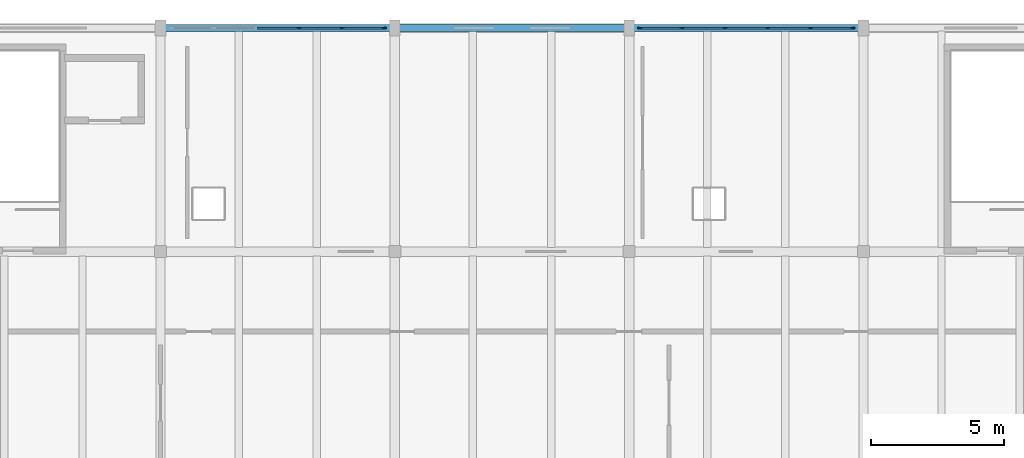
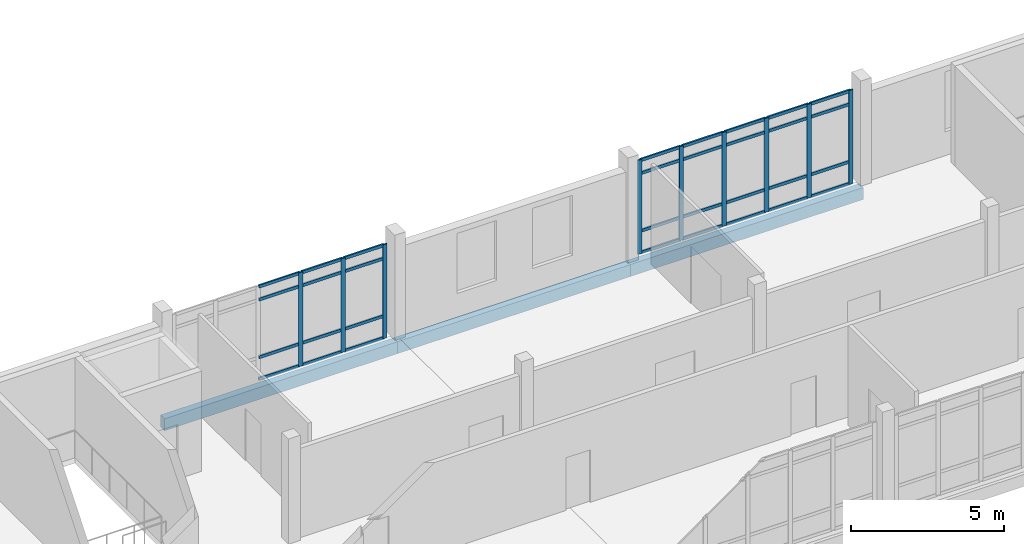
# One storey, part 7 of 13: 41 members, 3 beams, 2 elements without a shape of their own.
"""IFC4 building model written with IfcOpenShell, lengths in metres."""

from ifc_helpers import new_model, si_unit, direction, frame, origin, origin_2d, place, context, subcontext, project, spatial, rectangle, extrude, material, material_profile, profile_set, type_object, element, aggregate, save


model = new_model("IFC4")

# Units and contexts
model_context = context("Model", 3, precision=1e-05, world=origin(), true_north=direction((0.0, 1.0)))
body_context = subcontext(model_context, "Body", "Model", "MODEL_VIEW")
ifc_project = project(units=[si_unit("LENGTHUNIT", "METRE"), si_unit("AREAUNIT", "SQUARE_METRE"), si_unit("VOLUMEUNIT", "CUBIC_METRE"), si_unit("PLANEANGLEUNIT", "RADIAN"), si_unit("MASSUNIT", "GRAM", prefix="KILO")], contexts=[model_context])

# Site, building, storey
site_placement = place(None, origin())
site = spatial("IfcSite", under=ifc_project, at=site_placement, CompositionType="ELEMENT")
building_placement = place(site_placement, origin())
building = spatial("IfcBuilding", under=site, at=building_placement, Name="Cinderway Yard Community Centre", CompositionType="ELEMENT")
storey_placement = place(building_placement, frame((0.0, 0.0, 20.10009765625)))
storey = spatial("IfcBuildingStorey", under=building, at=storey_placement, Name="L05", CompositionType="ELEMENT", Elevation=20.10009765625)

# Curtain wall, members
ifc_material_1 = material(Name="Aluminium 6063-T6", Category="aluminium")
curtain_wall_type = type_object("IfcCurtainWallType", Name="ENV-CW-TYPE-27", PredefinedType="USERDEFINED", material=ifc_material_1)
curtain_wall_1_placement = place(storey_placement, origin())
curtain_wall_1 = element("IfcCurtainWall", 1, at=curtain_wall_1_placement, inside=storey, type_object=curtain_wall_type, Name="V4 Street Curtain Wall ENV-CW-L05-ST-0192", ObjectType="GLAZED CURTAIN WALL", PredefinedType="USERDEFINED")
ifc_material_profile_1 = material_profile(ifc_material_1, rectangle(XDim=0.06005859375, YDim=0.159912109375, at=origin_2d()), Name="Aluminium 6063-T6")
ifc_profile_set_1 = profile_set([ifc_material_profile_1], Name="Aluminium 6063-T6")
member_type_1 = type_object("IfcMemberType", Name="ENV-CW-MULL-150", PredefinedType="MULLION", material=ifc_profile_set_1)
member_1_placement = place(storey_placement, frame((89.2041015625, 115.199951171875, 0.0), z_axis=(0.0, 0.0, 1.0), x_axis=(0.0, 1.0, 0.0)))
member_1 = element("IfcMember", 2, at=member_1_placement, type_object=member_type_1, Name="CW-27 mullion 4", PredefinedType="MULLION", context=body_context, shape_type="SweptSolid", body=[
    extrude(rectangle(XDim=0.06005859375, YDim=0.159912109375, at=origin_2d()), origin(), (0.0, 0.0, 1.0), 3.75),
])
member_2_placement = place(storey_placement, frame((90.81201171875, 115.199951171875, 0.0), z_axis=(0.0, 0.0, 1.0), x_axis=(0.0, 1.0, 0.0)))
member_2 = element("IfcMember", 3, at=member_2_placement, type_object=member_type_1, Name="CW-27 mullion 5", PredefinedType="MULLION", context=body_context, shape_type="SweptSolid", body=[
    extrude(rectangle(XDim=0.06005859375, YDim=0.159912109375, at=origin_2d()), origin(), (0.0, 0.0, 1.0), 3.75),
])
member_3_placement = place(storey_placement, frame((92.389892578125, 115.199951171875, 0.0), z_axis=(0.0, 0.0, 1.0), x_axis=(0.0, 1.0, 0.0)))
member_3 = element("IfcMember", 4, at=member_3_placement, type_object=member_type_1, Name="CW-27 mullion 6", PredefinedType="MULLION", context=body_context, shape_type="SweptSolid", body=[
    extrude(rectangle(XDim=0.06005859375, YDim=0.159912109375, at=origin_2d()), origin(), (0.0, 0.0, 1.0), 3.75),
])

curtain_wall_2_placement = place(storey_placement, origin())
curtain_wall_2 = element("IfcCurtainWall", 5, at=curtain_wall_2_placement, inside=storey, type_object=curtain_wall_type, Name="V4 Street Curtain Wall ENV-CW-L05-ST-0194", ObjectType="GLAZED CURTAIN WALL", PredefinedType="USERDEFINED")
member_4_placement = place(storey_placement, frame((102.010009765625, 115.199951171875, 0.0), z_axis=(0.0, 0.0, 1.0), x_axis=(0.0, 1.0, 0.0)))
member_4 = element("IfcMember", 6, at=member_4_placement, type_object=member_type_1, Name="CW-27 mullion 1", PredefinedType="MULLION", context=body_context, shape_type="SweptSolid", body=[
    extrude(rectangle(XDim=0.06005859375, YDim=0.159912109375, at=origin_2d()), origin(), (0.0, 0.0, 1.0), 3.75),
])
member_5_placement = place(storey_placement, frame((103.587890625, 115.199951171875, 0.0), z_axis=(0.0, 0.0, 1.0), x_axis=(0.0, 1.0, 0.0)))
member_5 = element("IfcMember", 7, at=member_5_placement, type_object=member_type_1, Name="CW-27 mullion 2", PredefinedType="MULLION", context=body_context, shape_type="SweptSolid", body=[
    extrude(rectangle(XDim=0.06005859375, YDim=0.159912109375, at=origin_2d()), origin(), (0.0, 0.0, 1.0), 3.75),
])
member_6_placement = place(storey_placement, frame((105.196044921875, 115.199951171875, 0.0), z_axis=(0.0, 0.0, 1.0), x_axis=(0.0, 1.0, 0.0)))
member_6 = element("IfcMember", 8, at=member_6_placement, type_object=member_type_1, Name="CW-27 mullion 3", PredefinedType="MULLION", context=body_context, shape_type="SweptSolid", body=[
    extrude(rectangle(XDim=0.06005859375, YDim=0.159912109375, at=origin_2d()), origin(), (0.0, 0.0, 1.0), 3.75),
])
member_7_placement = place(storey_placement, frame((106.803955078125, 115.199951171875, 0.0), z_axis=(0.0, 0.0, 1.0), x_axis=(0.0, 1.0, 0.0)))
member_7 = element("IfcMember", 9, at=member_7_placement, type_object=member_type_1, Name="CW-27 mullion 4", PredefinedType="MULLION", context=body_context, shape_type="SweptSolid", body=[
    extrude(rectangle(XDim=0.06005859375, YDim=0.159912109375, at=origin_2d()), origin(), (0.0, 0.0, 1.0), 3.75),
])
member_8_placement = place(storey_placement, frame((108.412109375, 115.199951171875, 0.0), z_axis=(0.0, 0.0, 1.0), x_axis=(0.0, 1.0, 0.0)))
member_8 = element("IfcMember", 10, at=member_8_placement, type_object=member_type_1, Name="CW-27 mullion 5", PredefinedType="MULLION", context=body_context, shape_type="SweptSolid", body=[
    extrude(rectangle(XDim=0.06005859375, YDim=0.159912109375, at=origin_2d()), origin(), (0.0, 0.0, 1.0), 3.75),
])
member_9_placement = place(storey_placement, frame((109.989990234375, 115.199951171875, 0.0), z_axis=(0.0, 0.0, 1.0), x_axis=(0.0, 1.0, 0.0)))
member_9 = element("IfcMember", 11, at=member_9_placement, type_object=member_type_1, Name="CW-27 mullion 6", PredefinedType="MULLION", context=body_context, shape_type="SweptSolid", body=[
    extrude(rectangle(XDim=0.06005859375, YDim=0.159912109375, at=origin_2d()), origin(), (0.0, 0.0, 1.0), 3.75),
])

# Member
ifc_material_profile_2 = material_profile(ifc_material_1, rectangle(XDim=0.06005859375, YDim=0.1201171875, at=origin_2d()), Name="Aluminium 6063-T6")
ifc_profile_set_2 = profile_set([ifc_material_profile_2], Name="Aluminium 6063-T6")
member_type_2 = type_object("IfcMemberType", Name="ENV-CW-TRAN-110", PredefinedType="USERDEFINED", material=ifc_profile_set_2)
member_10_placement = place(storey_placement, frame((87.6259765625, 115.199951171875, 0.02978515625), z_axis=(1.0, 0.0, 0.0), x_axis=(0.0, 1.0, 0.0)))
member_10 = element("IfcMember", 12, at=member_10_placement, type_object=member_type_2, Name="CW-27 transom 3.1", ObjectType="TRANSOM", PredefinedType="USERDEFINED", context=body_context, shape_type="SweptSolid", body=[
    extrude(rectangle(XDim=0.06005859375, YDim=0.1201171875, at=origin_2d()), origin(), (0.0, 0.0, 1.0), 1.548095703125),
])

member_11_placement = place(storey_placement, frame((87.6259765625, 115.199951171875, 0.89990234375), z_axis=(1.0, 0.0, 0.0), x_axis=(0.0, 1.0, 0.0)))
member_11 = element("IfcMember", 13, at=member_11_placement, type_object=member_type_2, Name="CW-27 transom 3.2", ObjectType="TRANSOM", PredefinedType="USERDEFINED", context=body_context, shape_type="SweptSolid", body=[
    extrude(rectangle(XDim=0.06005859375, YDim=0.1201171875, at=origin_2d()), origin(), (0.0, 0.0, 1.0), 1.548095703125),
])

member_12_placement = place(storey_placement, frame((87.6259765625, 115.199951171875, 3.199951171875), z_axis=(1.0, 0.0, 0.0), x_axis=(0.0, 1.0, 0.0)))
member_12 = element("IfcMember", 14, at=member_12_placement, type_object=member_type_2, Name="CW-27 transom 3.3", ObjectType="TRANSOM", PredefinedType="USERDEFINED", context=body_context, shape_type="SweptSolid", body=[
    extrude(rectangle(XDim=0.06005859375, YDim=0.1201171875, at=origin_2d()), origin(), (0.0, 0.0, 1.0), 1.548095703125),
])

member_13_placement = place(storey_placement, frame((87.6259765625, 115.199951171875, 3.719970703125), z_axis=(1.0, 0.0, 0.0), x_axis=(0.0, 1.0, 0.0)))
member_13 = element("IfcMember", 15, at=member_13_placement, type_object=member_type_2, Name="CW-27 transom 3.4", ObjectType="TRANSOM", PredefinedType="USERDEFINED", context=body_context, shape_type="SweptSolid", body=[
    extrude(rectangle(XDim=0.06005859375, YDim=0.1201171875, at=origin_2d()), origin(), (0.0, 0.0, 1.0), 1.548095703125),
])

member_14_placement = place(storey_placement, frame((89.23388671875, 115.199951171875, 0.02978515625), z_axis=(1.0, 0.0, 0.0), x_axis=(0.0, 1.0, 0.0)))
member_14 = element("IfcMember", 16, at=member_14_placement, type_object=member_type_2, Name="CW-27 transom 4.1", ObjectType="TRANSOM", PredefinedType="USERDEFINED", context=body_context, shape_type="SweptSolid", body=[
    extrude(rectangle(XDim=0.06005859375, YDim=0.1201171875, at=origin_2d()), origin(), (0.0, 0.0, 1.0), 1.548095703125),
])

member_15_placement = place(storey_placement, frame((89.23388671875, 115.199951171875, 0.89990234375), z_axis=(1.0, 0.0, 0.0), x_axis=(0.0, 1.0, 0.0)))
member_15 = element("IfcMember", 17, at=member_15_placement, type_object=member_type_2, Name="CW-27 transom 4.2", ObjectType="TRANSOM", PredefinedType="USERDEFINED", context=body_context, shape_type="SweptSolid", body=[
    extrude(rectangle(XDim=0.06005859375, YDim=0.1201171875, at=origin_2d()), origin(), (0.0, 0.0, 1.0), 1.548095703125),
])

member_16_placement = place(storey_placement, frame((89.23388671875, 115.199951171875, 3.199951171875), z_axis=(1.0, 0.0, 0.0), x_axis=(0.0, 1.0, 0.0)))
member_16 = element("IfcMember", 18, at=member_16_placement, type_object=member_type_2, Name="CW-27 transom 4.3", ObjectType="TRANSOM", PredefinedType="USERDEFINED", context=body_context, shape_type="SweptSolid", body=[
    extrude(rectangle(XDim=0.06005859375, YDim=0.1201171875, at=origin_2d()), origin(), (0.0, 0.0, 1.0), 1.548095703125),
])

member_17_placement = place(storey_placement, frame((89.23388671875, 115.199951171875, 3.719970703125), z_axis=(1.0, 0.0, 0.0), x_axis=(0.0, 1.0, 0.0)))
member_17 = element("IfcMember", 19, at=member_17_placement, type_object=member_type_2, Name="CW-27 transom 4.4", ObjectType="TRANSOM", PredefinedType="USERDEFINED", context=body_context, shape_type="SweptSolid", body=[
    extrude(rectangle(XDim=0.06005859375, YDim=0.1201171875, at=origin_2d()), origin(), (0.0, 0.0, 1.0), 1.548095703125),
])

member_18_placement = place(storey_placement, frame((90.842041015625, 115.199951171875, 0.02978515625), z_axis=(1.0, 0.0, 0.0), x_axis=(0.0, 1.0, 0.0)))
member_18 = element("IfcMember", 20, at=member_18_placement, type_object=member_type_2, Name="CW-27 transom 5.1", ObjectType="TRANSOM", PredefinedType="USERDEFINED", context=body_context, shape_type="SweptSolid", body=[
    extrude(rectangle(XDim=0.06005859375, YDim=0.1201171875, at=origin_2d()), origin(), (0.0, 0.0, 1.0), 1.51806640625),
])

member_19_placement = place(storey_placement, frame((90.842041015625, 115.199951171875, 0.89990234375), z_axis=(1.0, 0.0, 0.0), x_axis=(0.0, 1.0, 0.0)))
member_19 = element("IfcMember", 21, at=member_19_placement, type_object=member_type_2, Name="CW-27 transom 5.2", ObjectType="TRANSOM", PredefinedType="USERDEFINED", context=body_context, shape_type="SweptSolid", body=[
    extrude(rectangle(XDim=0.06005859375, YDim=0.1201171875, at=origin_2d()), origin(), (0.0, 0.0, 1.0), 1.51806640625),
])

member_20_placement = place(storey_placement, frame((90.842041015625, 115.199951171875, 3.199951171875), z_axis=(1.0, 0.0, 0.0), x_axis=(0.0, 1.0, 0.0)))
member_20 = element("IfcMember", 22, at=member_20_placement, type_object=member_type_2, Name="CW-27 transom 5.3", ObjectType="TRANSOM", PredefinedType="USERDEFINED", context=body_context, shape_type="SweptSolid", body=[
    extrude(rectangle(XDim=0.06005859375, YDim=0.1201171875, at=origin_2d()), origin(), (0.0, 0.0, 1.0), 1.51806640625),
])

member_21_placement = place(storey_placement, frame((90.842041015625, 115.199951171875, 3.719970703125), z_axis=(1.0, 0.0, 0.0), x_axis=(0.0, 1.0, 0.0)))
member_21 = element("IfcMember", 23, at=member_21_placement, type_object=member_type_2, Name="CW-27 transom 5.4", ObjectType="TRANSOM", PredefinedType="USERDEFINED", context=body_context, shape_type="SweptSolid", body=[
    extrude(rectangle(XDim=0.06005859375, YDim=0.1201171875, at=origin_2d()), origin(), (0.0, 0.0, 1.0), 1.51806640625),
])

aggregate(curtain_wall_1, [member_1, member_2, member_3, member_10, member_11, member_12, member_13, member_14, member_15, member_16, member_17, member_18, member_19, member_20, member_21])

member_22_placement = place(storey_placement, frame((102.0400390625, 115.199951171875, 0.02978515625), z_axis=(1.0, 0.0, 0.0), x_axis=(0.0, 1.0, 0.0)))
member_22 = element("IfcMember", 24, at=member_22_placement, type_object=member_type_2, Name="CW-27 transom 1.1", ObjectType="TRANSOM", PredefinedType="USERDEFINED", context=body_context, shape_type="SweptSolid", body=[
    extrude(rectangle(XDim=0.06005859375, YDim=0.1201171875, at=origin_2d()), origin(), (0.0, 0.0, 1.0), 1.51806640625),
])

member_23_placement = place(storey_placement, frame((102.0400390625, 115.199951171875, 0.89990234375), z_axis=(1.0, 0.0, 0.0), x_axis=(0.0, 1.0, 0.0)))
member_23 = element("IfcMember", 25, at=member_23_placement, type_object=member_type_2, Name="CW-27 transom 1.2", ObjectType="TRANSOM", PredefinedType="USERDEFINED", context=body_context, shape_type="SweptSolid", body=[
    extrude(rectangle(XDim=0.06005859375, YDim=0.1201171875, at=origin_2d()), origin(), (0.0, 0.0, 1.0), 1.51806640625),
])

member_24_placement = place(storey_placement, frame((102.0400390625, 115.199951171875, 3.199951171875), z_axis=(1.0, 0.0, 0.0), x_axis=(0.0, 1.0, 0.0)))
member_24 = element("IfcMember", 26, at=member_24_placement, type_object=member_type_2, Name="CW-27 transom 1.3", ObjectType="TRANSOM", PredefinedType="USERDEFINED", context=body_context, shape_type="SweptSolid", body=[
    extrude(rectangle(XDim=0.06005859375, YDim=0.1201171875, at=origin_2d()), origin(), (0.0, 0.0, 1.0), 1.51806640625),
])

member_25_placement = place(storey_placement, frame((102.0400390625, 115.199951171875, 3.719970703125), z_axis=(1.0, 0.0, 0.0), x_axis=(0.0, 1.0, 0.0)))
member_25 = element("IfcMember", 27, at=member_25_placement, type_object=member_type_2, Name="CW-27 transom 1.4", ObjectType="TRANSOM", PredefinedType="USERDEFINED", context=body_context, shape_type="SweptSolid", body=[
    extrude(rectangle(XDim=0.06005859375, YDim=0.1201171875, at=origin_2d()), origin(), (0.0, 0.0, 1.0), 1.51806640625),
])

member_26_placement = place(storey_placement, frame((103.617919921875, 115.199951171875, 0.02978515625), z_axis=(1.0, 0.0, 0.0), x_axis=(0.0, 1.0, 0.0)))
member_26 = element("IfcMember", 28, at=member_26_placement, type_object=member_type_2, Name="CW-27 transom 2.1", ObjectType="TRANSOM", PredefinedType="USERDEFINED", context=body_context, shape_type="SweptSolid", body=[
    extrude(rectangle(XDim=0.06005859375, YDim=0.1201171875, at=origin_2d()), origin(), (0.0, 0.0, 1.0), 1.548095703125),
])

member_27_placement = place(storey_placement, frame((103.617919921875, 115.199951171875, 0.89990234375), z_axis=(1.0, 0.0, 0.0), x_axis=(0.0, 1.0, 0.0)))
member_27 = element("IfcMember", 29, at=member_27_placement, type_object=member_type_2, Name="CW-27 transom 2.2", ObjectType="TRANSOM", PredefinedType="USERDEFINED", context=body_context, shape_type="SweptSolid", body=[
    extrude(rectangle(XDim=0.06005859375, YDim=0.1201171875, at=origin_2d()), origin(), (0.0, 0.0, 1.0), 1.548095703125),
])

member_28_placement = place(storey_placement, frame((103.617919921875, 115.199951171875, 3.199951171875), z_axis=(1.0, 0.0, 0.0), x_axis=(0.0, 1.0, 0.0)))
member_28 = element("IfcMember", 30, at=member_28_placement, type_object=member_type_2, Name="CW-27 transom 2.3", ObjectType="TRANSOM", PredefinedType="USERDEFINED", context=body_context, shape_type="SweptSolid", body=[
    extrude(rectangle(XDim=0.06005859375, YDim=0.1201171875, at=origin_2d()), origin(), (0.0, 0.0, 1.0), 1.548095703125),
])

member_29_placement = place(storey_placement, frame((103.617919921875, 115.199951171875, 3.719970703125), z_axis=(1.0, 0.0, 0.0), x_axis=(0.0, 1.0, 0.0)))
member_29 = element("IfcMember", 31, at=member_29_placement, type_object=member_type_2, Name="CW-27 transom 2.4", ObjectType="TRANSOM", PredefinedType="USERDEFINED", context=body_context, shape_type="SweptSolid", body=[
    extrude(rectangle(XDim=0.06005859375, YDim=0.1201171875, at=origin_2d()), origin(), (0.0, 0.0, 1.0), 1.548095703125),
])

member_30_placement = place(storey_placement, frame((105.22607421875, 115.199951171875, 0.02978515625), z_axis=(1.0, 0.0, 0.0), x_axis=(0.0, 1.0, 0.0)))
member_30 = element("IfcMember", 32, at=member_30_placement, type_object=member_type_2, Name="CW-27 transom 3.1", ObjectType="TRANSOM", PredefinedType="USERDEFINED", context=body_context, shape_type="SweptSolid", body=[
    extrude(rectangle(XDim=0.06005859375, YDim=0.1201171875, at=origin_2d()), origin(), (0.0, 0.0, 1.0), 1.5478515625),
])

member_31_placement = place(storey_placement, frame((105.22607421875, 115.199951171875, 0.89990234375), z_axis=(1.0, 0.0, 0.0), x_axis=(0.0, 1.0, 0.0)))
member_31 = element("IfcMember", 33, at=member_31_placement, type_object=member_type_2, Name="CW-27 transom 3.2", ObjectType="TRANSOM", PredefinedType="USERDEFINED", context=body_context, shape_type="SweptSolid", body=[
    extrude(rectangle(XDim=0.06005859375, YDim=0.1201171875, at=origin_2d()), origin(), (0.0, 0.0, 1.0), 1.5478515625),
])

member_32_placement = place(storey_placement, frame((105.22607421875, 115.199951171875, 3.199951171875), z_axis=(1.0, 0.0, 0.0), x_axis=(0.0, 1.0, 0.0)))
member_32 = element("IfcMember", 34, at=member_32_placement, type_object=member_type_2, Name="CW-27 transom 3.3", ObjectType="TRANSOM", PredefinedType="USERDEFINED", context=body_context, shape_type="SweptSolid", body=[
    extrude(rectangle(XDim=0.06005859375, YDim=0.1201171875, at=origin_2d()), origin(), (0.0, 0.0, 1.0), 1.5478515625),
])

member_33_placement = place(storey_placement, frame((105.22607421875, 115.199951171875, 3.719970703125), z_axis=(1.0, 0.0, 0.0), x_axis=(0.0, 1.0, 0.0)))
member_33 = element("IfcMember", 35, at=member_33_placement, type_object=member_type_2, Name="CW-27 transom 3.4", ObjectType="TRANSOM", PredefinedType="USERDEFINED", context=body_context, shape_type="SweptSolid", body=[
    extrude(rectangle(XDim=0.06005859375, YDim=0.1201171875, at=origin_2d()), origin(), (0.0, 0.0, 1.0), 1.5478515625),
])

member_34_placement = place(storey_placement, frame((106.833984375, 115.199951171875, 0.02978515625), z_axis=(1.0, 0.0, 0.0), x_axis=(0.0, 1.0, 0.0)))
member_34 = element("IfcMember", 36, at=member_34_placement, type_object=member_type_2, Name="CW-27 transom 4.1", ObjectType="TRANSOM", PredefinedType="USERDEFINED", context=body_context, shape_type="SweptSolid", body=[
    extrude(rectangle(XDim=0.06005859375, YDim=0.1201171875, at=origin_2d()), origin(), (0.0, 0.0, 1.0), 1.548095703125),
])

member_35_placement = place(storey_placement, frame((106.833984375, 115.199951171875, 0.89990234375), z_axis=(1.0, 0.0, 0.0), x_axis=(0.0, 1.0, 0.0)))
member_35 = element("IfcMember", 37, at=member_35_placement, type_object=member_type_2, Name="CW-27 transom 4.2", ObjectType="TRANSOM", PredefinedType="USERDEFINED", context=body_context, shape_type="SweptSolid", body=[
    extrude(rectangle(XDim=0.06005859375, YDim=0.1201171875, at=origin_2d()), origin(), (0.0, 0.0, 1.0), 1.548095703125),
])

member_36_placement = place(storey_placement, frame((106.833984375, 115.199951171875, 3.199951171875), z_axis=(1.0, 0.0, 0.0), x_axis=(0.0, 1.0, 0.0)))
member_36 = element("IfcMember", 38, at=member_36_placement, type_object=member_type_2, Name="CW-27 transom 4.3", ObjectType="TRANSOM", PredefinedType="USERDEFINED", context=body_context, shape_type="SweptSolid", body=[
    extrude(rectangle(XDim=0.06005859375, YDim=0.1201171875, at=origin_2d()), origin(), (0.0, 0.0, 1.0), 1.548095703125),
])

member_37_placement = place(storey_placement, frame((106.833984375, 115.199951171875, 3.719970703125), z_axis=(1.0, 0.0, 0.0), x_axis=(0.0, 1.0, 0.0)))
member_37 = element("IfcMember", 39, at=member_37_placement, type_object=member_type_2, Name="CW-27 transom 4.4", ObjectType="TRANSOM", PredefinedType="USERDEFINED", context=body_context, shape_type="SweptSolid", body=[
    extrude(rectangle(XDim=0.06005859375, YDim=0.1201171875, at=origin_2d()), origin(), (0.0, 0.0, 1.0), 1.548095703125),
])

member_38_placement = place(storey_placement, frame((108.44189453125, 115.199951171875, 0.02978515625), z_axis=(1.0, 0.0, 0.0), x_axis=(0.0, 1.0, 0.0)))
member_38 = element("IfcMember", 40, at=member_38_placement, type_object=member_type_2, Name="CW-27 transom 5.1", ObjectType="TRANSOM", PredefinedType="USERDEFINED", context=body_context, shape_type="SweptSolid", body=[
    extrude(rectangle(XDim=0.06005859375, YDim=0.1201171875, at=origin_2d()), origin(), (0.0, 0.0, 1.0), 1.51806640625),
])

member_39_placement = place(storey_placement, frame((108.44189453125, 115.199951171875, 0.89990234375), z_axis=(1.0, 0.0, 0.0), x_axis=(0.0, 1.0, 0.0)))
member_39 = element("IfcMember", 41, at=member_39_placement, type_object=member_type_2, Name="CW-27 transom 5.2", ObjectType="TRANSOM", PredefinedType="USERDEFINED", context=body_context, shape_type="SweptSolid", body=[
    extrude(rectangle(XDim=0.06005859375, YDim=0.1201171875, at=origin_2d()), origin(), (0.0, 0.0, 1.0), 1.51806640625),
])

member_40_placement = place(storey_placement, frame((108.44189453125, 115.199951171875, 3.199951171875), z_axis=(1.0, 0.0, 0.0), x_axis=(0.0, 1.0, 0.0)))
member_40 = element("IfcMember", 42, at=member_40_placement, type_object=member_type_2, Name="CW-27 transom 5.3", ObjectType="TRANSOM", PredefinedType="USERDEFINED", context=body_context, shape_type="SweptSolid", body=[
    extrude(rectangle(XDim=0.06005859375, YDim=0.1201171875, at=origin_2d()), origin(), (0.0, 0.0, 1.0), 1.51806640625),
])

member_41_placement = place(storey_placement, frame((108.44189453125, 115.199951171875, 3.719970703125), z_axis=(1.0, 0.0, 0.0), x_axis=(0.0, 1.0, 0.0)))
member_41 = element("IfcMember", 43, at=member_41_placement, type_object=member_type_2, Name="CW-27 transom 5.4", ObjectType="TRANSOM", PredefinedType="USERDEFINED", context=body_context, shape_type="SweptSolid", body=[
    extrude(rectangle(XDim=0.06005859375, YDim=0.1201171875, at=origin_2d()), origin(), (0.0, 0.0, 1.0), 1.51806640625),
])

aggregate(curtain_wall_2, [member_4, member_5, member_6, member_7, member_8, member_9, member_22, member_23, member_24, member_25, member_26, member_27, member_28, member_29, member_30, member_31, member_32, member_33, member_34, member_35, member_36, member_37, member_38, member_39, member_40, member_41])

# Beams
ifc_material_2 = material(Name="Concrete C40/50", Category="concrete")
ifc_material_profile_3 = material_profile(ifc_material_2, rectangle(XDim=0.260009765625, YDim=0.47998046875, at=origin_2d()), Name="Concrete C40/50")
ifc_profile_set_3 = profile_set([ifc_material_profile_3], Name="Concrete C40/50")
beam_type = type_object("IfcBeamType", Name="STR-BM-RC260X480", PredefinedType="SPANDREL", material=ifc_profile_set_3)
for number, where, z_axis, x_axis, name in (
    (44, (84.0, 115.199951171875, -0.460205078125), (1.0, 0.0, 0.0), (0.0, 1.0, 0.0), "Primary girder STR-BM-L05-SP01-0944"),
    (45, (92.800048828125, 115.199951171875, -0.460205078125), (1.0, 0.0, 0.0), (0.0, 1.0, 0.0), "Primary girder STR-BM-L05-SP01-0945"),
):
    element("IfcBeam", number, at=place(storey_placement, frame(where, z_axis=z_axis, x_axis=x_axis)), inside=storey, type_object=beam_type, Name=name, PredefinedType="SPANDREL", context=body_context, shape_type="SweptSolid", body=[
        extrude(rectangle(XDim=0.260009765625, YDim=0.47998046875, at=origin_2d()), origin(), (0.0, 0.0, 1.0), 8.800048828125),
    ])
beam_placement = place(storey_placement, frame((101.60009765625, 115.199951171875, -0.460205078125), z_axis=(1.0, 0.0, 0.0), x_axis=(0.0, 1.0, 0.0)))
element("IfcBeam", 46, at=beam_placement, inside=storey, type_object=beam_type, Name="Primary girder STR-BM-L05-SP01-0946", PredefinedType="SPANDREL", context=body_context, shape_type="SweptSolid", body=[
    extrude(rectangle(XDim=0.260009765625, YDim=0.47998046875, at=origin_2d()), origin(), (0.0, 0.0, 1.0), 8.7998046875),
])

save(model, "model.ifc")
